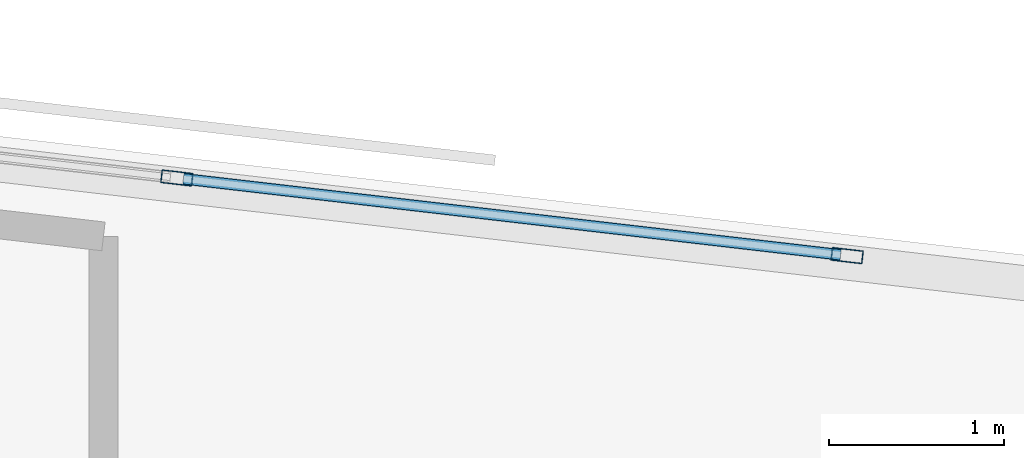
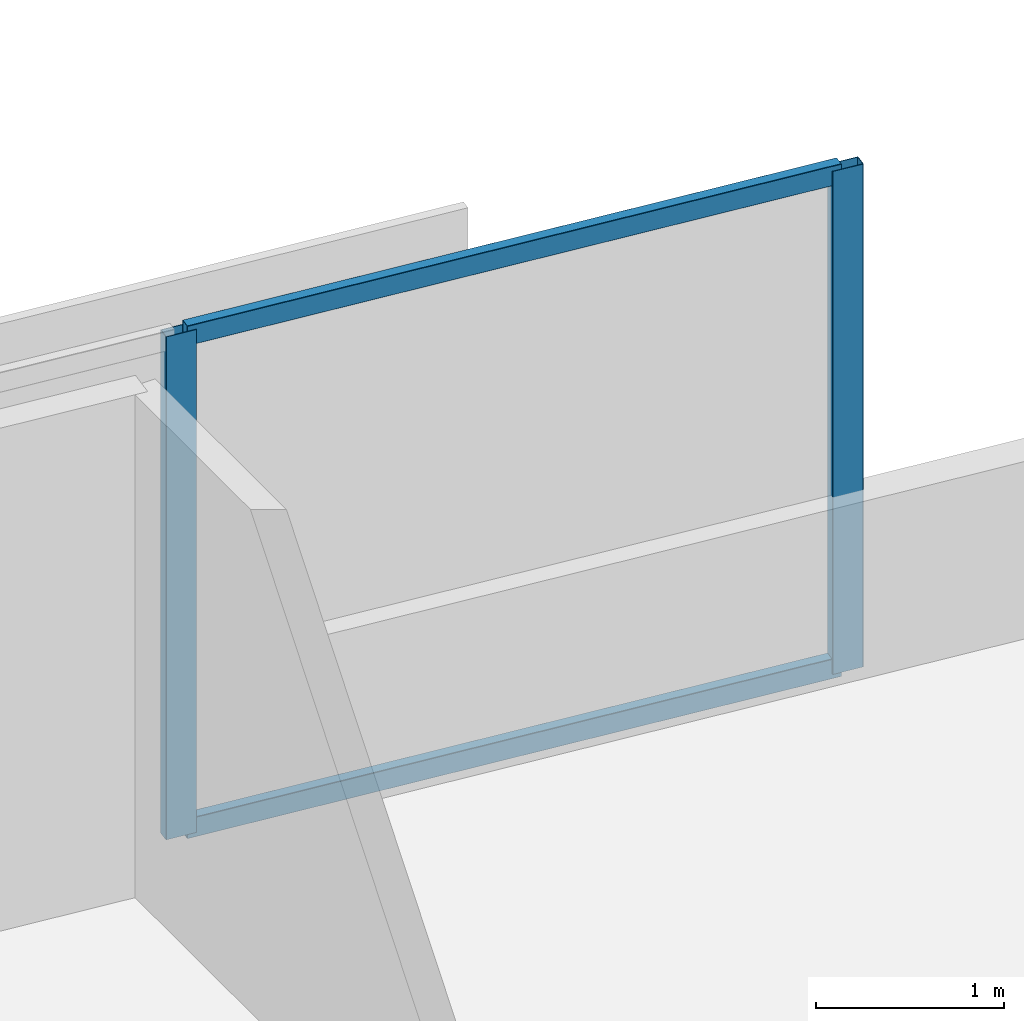
# One storey, part 2 of 14: 4 members, 1 element without a shape of its own.
"""IFC4 building model written with IfcOpenShell, lengths in metres."""

from ifc_helpers import new_model, si_unit, direction, frame, origin, origin_2d, place, context, subcontext, project, spatial, hollow_rectangle, extrude, material, material_profile, profile_set, type_object, element, aggregate, save


model = new_model("IFC4")

# Units and contexts
model_context = context("Model", 3, precision=1e-05, world=origin(), true_north=direction((0.0, 1.0)))
body_context = subcontext(model_context, "Body", "Model", "MODEL_VIEW")
ifc_project = project(units=[si_unit("LENGTHUNIT", "METRE"), si_unit("AREAUNIT", "SQUARE_METRE"), si_unit("VOLUMEUNIT", "CUBIC_METRE"), si_unit("PLANEANGLEUNIT", "RADIAN"), si_unit("MASSUNIT", "GRAM", prefix="KILO")], contexts=[model_context])

# Site, building, storey
site_placement = place(None, origin())
site = spatial("IfcSite", under=ifc_project, at=site_placement, CompositionType="ELEMENT")
building_placement = place(site_placement, origin())
building = spatial("IfcBuilding", under=site, at=building_placement, Name="Narakoshi Arena Tower", CompositionType="ELEMENT")
storey_placement = place(building_placement, frame((0.0, 0.0, 211.4599609375)))
storey = spatial("IfcBuildingStorey", under=building, at=storey_placement, Name="L57", CompositionType="ELEMENT", Elevation=211.4599609375)

# Curtain wall, members
ifc_material = material(Name="Anodised bronze aluminium 6063-T6", Category="aluminium")
curtain_wall_type = type_object("IfcCurtainWallType", Name="CW-HYP-MID", PredefinedType="NOTDEFINED", material=ifc_material)
curtain_wall_placement = place(storey_placement, origin())
curtain_wall = element("IfcCurtainWall", 1, at=curtain_wall_placement, inside=storey, type_object=curtain_wall_type, Name="L57 Folded Hypotenuse Curtain Wall 2-1", PredefinedType="NOTDEFINED")
ifc_material_profile_1 = material_profile(ifc_material, hollow_rectangle(XDim=0.074951171875, YDim=0.179931640625, WallThickness=0.00390625, OuterFilletRadius=0.0048828125, at=origin_2d()), Name="MUL180x75x4")
ifc_profile_set_1 = profile_set([ifc_material_profile_1], Name="Anodised bronze aluminium 6063-T6")
member_type_1 = type_object("IfcMemberType", Name="MEM-MUL-180", PredefinedType="MULLION", material=ifc_profile_set_1)
member_1_placement = place(storey_placement, frame((83.901611328125, 63.554931640625, 0.0), z_axis=(0.0, 0.0, 1.0), x_axis=(-0.115011296816, -0.993364183774, 0.0)))
member_1 = element("IfcMember", 2, at=member_1_placement, type_object=member_type_1, Name="CW-02 mullion 1", PredefinedType="MULLION", context=body_context, shape_type="SweptSolid", body=[
    extrude(hollow_rectangle(XDim=0.074951171875, YDim=0.179931640625, WallThickness=0.00390625, OuterFilletRadius=0.0048828125, at=origin_2d()), origin(), (0.0, 0.0, 1.0), 3.260009765625),
])
member_2_placement = place(storey_placement, frame((80.06982421875, 63.99853515625, 0.0), z_axis=(0.0, 0.0, 1.0), x_axis=(-0.115011296816, -0.993364183774, 0.0)))
member_2 = element("IfcMember", 3, at=member_2_placement, type_object=member_type_1, Name="CW-02 mullion 2", PredefinedType="MULLION", context=body_context, shape_type="SweptSolid", body=[
    extrude(hollow_rectangle(XDim=0.074951171875, YDim=0.179931640625, WallThickness=0.00390625, OuterFilletRadius=0.0048828125, at=origin_2d()), origin(), (0.0, 0.0, 1.0), 3.260009765625),
])
ifc_material_profile_2 = material_profile(ifc_material, hollow_rectangle(XDim=0.06494140625, YDim=0.1298828125, WallThickness=0.00390625, OuterFilletRadius=0.0048828125, at=origin_2d()), Name="TRN130x65x4")
ifc_profile_set_2 = profile_set([ifc_material_profile_2], Name="Anodised bronze aluminium 6063-T6")
member_type_2 = type_object("IfcMemberType", Name="MEM-TRN-130", PredefinedType="USERDEFINED", material=ifc_profile_set_2)
member_3_placement = place(storey_placement, frame((83.864501953125, 63.55908203125, 0.032470703125), z_axis=(-0.993363915753, 0.115013611713, 0.0), x_axis=(-0.115013611713, -0.993363915753, 0.0)))
member_3 = element("IfcMember", 4, at=member_3_placement, type_object=member_type_2, Name="CW-02 transom 1.1", ObjectType="TRANSOM", PredefinedType="USERDEFINED", context=body_context, shape_type="SweptSolid", body=[
    extrude(hollow_rectangle(XDim=0.06494140625, YDim=0.1298828125, WallThickness=0.00390625, OuterFilletRadius=0.0048828125, at=origin_2d()), origin(), (0.0, 0.0, 1.0), 3.78271484375),
])
member_4_placement = place(storey_placement, frame((83.864501953125, 63.55908203125, 3.2275390625), z_axis=(-0.993363915753, 0.115013611713, 0.0), x_axis=(-0.115013611713, -0.993363915753, 0.0)))
member_4 = element("IfcMember", 5, at=member_4_placement, type_object=member_type_2, Name="CW-02 transom 1.2", ObjectType="TRANSOM", PredefinedType="USERDEFINED", context=body_context, shape_type="SweptSolid", body=[
    extrude(hollow_rectangle(XDim=0.06494140625, YDim=0.1298828125, WallThickness=0.00390625, OuterFilletRadius=0.0048828125, at=origin_2d()), origin(), (0.0, 0.0, 1.0), 3.78271484375),
])
aggregate(curtain_wall, [member_1, member_2, member_3, member_4])

save(model, "model.ifc")
